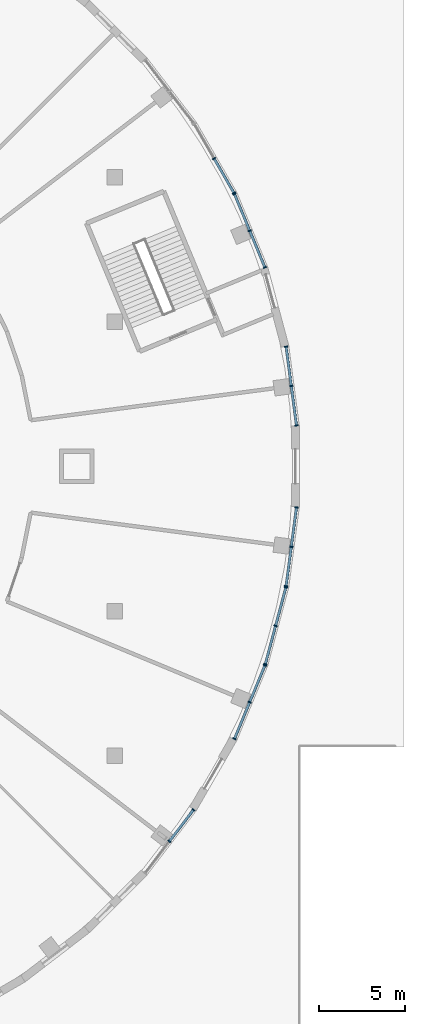
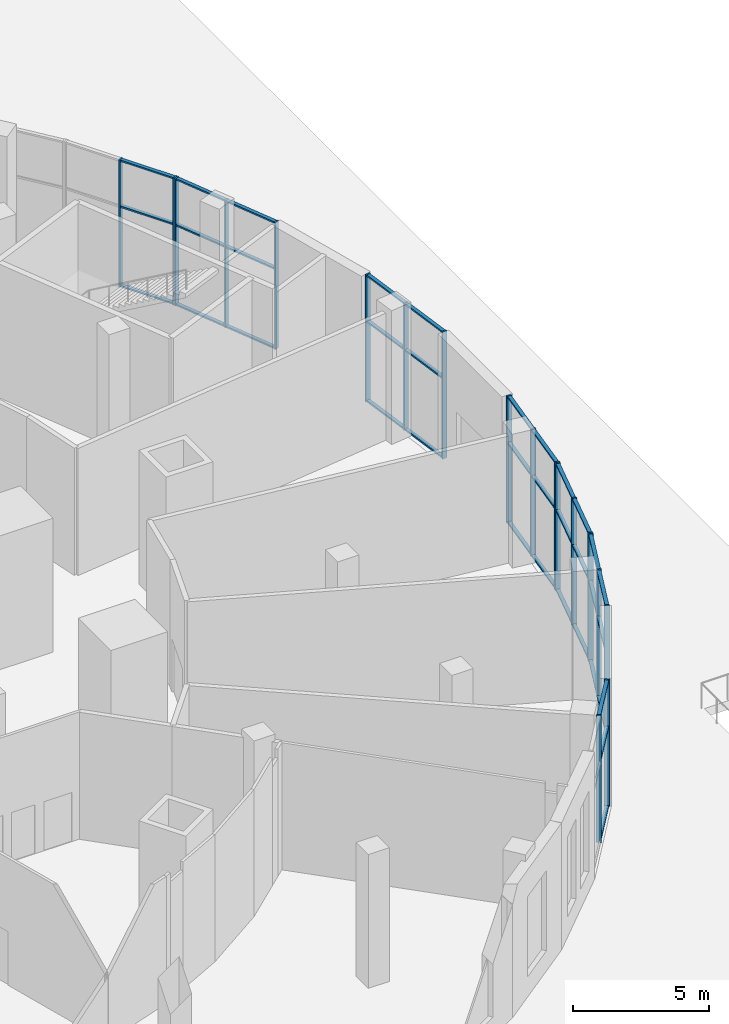
# One storey, part 4 of 19: 55 members, 7 elements without a shape of their own.
"""IFC4 building model written with IfcOpenShell, lengths in metres."""

from ifc_helpers import new_model, si_unit, direction, frame, origin, origin_2d, place, context, subcontext, project, spatial, rectangle, extrude, material, material_profile, profile_set, type_object, element, aggregate, save


model = new_model("IFC4")

# Units and contexts
model_context = context("Model", 3, precision=1e-05, world=origin(), true_north=direction((0.0, 1.0)))
body_context = subcontext(model_context, "Body", "Model", "MODEL_VIEW")
ifc_project = project(units=[si_unit("LENGTHUNIT", "METRE"), si_unit("AREAUNIT", "SQUARE_METRE"), si_unit("VOLUMEUNIT", "CUBIC_METRE"), si_unit("PLANEANGLEUNIT", "RADIAN"), si_unit("MASSUNIT", "GRAM", prefix="KILO")], contexts=[model_context])

# Site, building, storey
site_placement = place(None, origin())
site = spatial("IfcSite", under=ifc_project, at=site_placement, CompositionType="ELEMENT")
building_placement = place(site_placement, origin())
building = spatial("IfcBuilding", under=site, at=building_placement, Name="Golbaran Civic Tower", CompositionType="ELEMENT")
storey_placement = place(building_placement, origin())
storey = spatial("IfcBuildingStorey", under=building, at=storey_placement, Name="L00", CompositionType="ELEMENT", Elevation=0.0)

# Curtain wall, members
ifc_material_1 = material(Name="Aluminium and glass", Category="aluminium")
curtain_wall_type = type_object("IfcCurtainWallType", Name="PODIUM GLAZED SCREEN", PredefinedType="NOTDEFINED", material=ifc_material_1)
curtain_wall_1_placement = place(storey_placement, origin())
curtain_wall_1 = element("IfcCurtainWall", 1, at=curtain_wall_1_placement, inside=storey, type_object=curtain_wall_type, Name="Public service hall screen facet 1 CW5", ObjectType="PODIUM SCREEN", PredefinedType="USERDEFINED")
ifc_material_2 = material(Name="Aluminium", Category="aluminium")
ifc_material_profile_1 = material_profile(ifc_material_2, rectangle(XDim=0.199951171875, YDim=0.070068359375, at=origin_2d()), Name="PODIUM GLAZED SCREEN MULLION")
ifc_profile_set_1 = profile_set([ifc_material_profile_1], Name="Aluminium")
member_type_1 = type_object("IfcMemberType", Name="PODIUM GLAZED SCREEN MULLION", PredefinedType="MULLION", material=ifc_profile_set_1)
member_1_placement = place(storey_placement, frame((35.75537109375, 2.37841796875, 0.0), z_axis=(0.0, 0.0, 1.0), x_axis=(-0.99144486136, -0.130526192324, 0.0)))
member_1 = element("IfcMember", 2, at=member_1_placement, type_object=member_type_1, Name="CW5 mullion 1", PredefinedType="MULLION", context=body_context, shape_type="SweptSolid", body=[
    extrude(rectangle(XDim=0.199951171875, YDim=0.070068359375, at=origin_2d()), origin(), (0.0, 0.0, 1.0), 5.699951171875),
])
member_2_placement = place(storey_placement, frame((35.4541015625, 4.667724609375, 0.0), z_axis=(0.0, 0.0, 1.0), x_axis=(-0.99144486136, -0.130526192324, 0.0)))
member_2 = element("IfcMember", 3, at=member_2_placement, type_object=member_type_1, Name="CW5 mullion 2", PredefinedType="MULLION", context=body_context, shape_type="SweptSolid", body=[
    extrude(rectangle(XDim=0.199951171875, YDim=0.070068359375, at=origin_2d()), origin(), (0.0, 0.0, 1.0), 5.699951171875),
])
member_3_placement = place(storey_placement, frame((35.152587890625, 6.956787109375, 0.0), z_axis=(0.0, 0.0, 1.0), x_axis=(-0.99144486136, -0.130526192324, 0.0)))
member_3 = element("IfcMember", 4, at=member_3_placement, type_object=member_type_1, Name="CW5 mullion 3", PredefinedType="MULLION", context=body_context, shape_type="SweptSolid", body=[
    extrude(rectangle(XDim=0.199951171875, YDim=0.070068359375, at=origin_2d()), origin(), (0.0, 0.0, 1.0), 5.699951171875),
])

curtain_wall_2_placement = place(storey_placement, origin())
curtain_wall_2 = element("IfcCurtainWall", 5, at=curtain_wall_2_placement, inside=storey, type_object=curtain_wall_type, Name="Public service hall screen facet 3 CW5", ObjectType="PODIUM SCREEN", PredefinedType="USERDEFINED")
member_4_placement = place(storey_placement, frame((33.92138671875, 11.5517578125, 0.0), z_axis=(0.0, 0.0, 1.0), x_axis=(-0.923879532458, -0.382683432494, 0.0)))
member_4 = element("IfcMember", 6, at=member_4_placement, type_object=member_type_1, Name="CW5 mullion 1", PredefinedType="MULLION", context=body_context, shape_type="SweptSolid", body=[
    extrude(rectangle(XDim=0.199951171875, YDim=0.070068359375, at=origin_2d()), origin(), (0.0, 0.0, 1.0), 5.699951171875),
])
member_5_placement = place(storey_placement, frame((33.037841796875, 13.684814453125, 0.0), z_axis=(0.0, 0.0, 1.0), x_axis=(-0.923879532458, -0.382683432494, 0.0)))
member_5 = element("IfcMember", 7, at=member_5_placement, type_object=member_type_1, Name="CW5 mullion 2", PredefinedType="MULLION", context=body_context, shape_type="SweptSolid", body=[
    extrude(rectangle(XDim=0.199951171875, YDim=0.070068359375, at=origin_2d()), origin(), (0.0, 0.0, 1.0), 5.699951171875),
])
member_6_placement = place(storey_placement, frame((32.154296875, 15.81787109375, 0.0), z_axis=(0.0, 0.0, 1.0), x_axis=(-0.923879532458, -0.382683432494, 0.0)))
member_6 = element("IfcMember", 8, at=member_6_placement, type_object=member_type_1, Name="CW5 mullion 3", PredefinedType="MULLION", context=body_context, shape_type="SweptSolid", body=[
    extrude(rectangle(XDim=0.199951171875, YDim=0.070068359375, at=origin_2d()), origin(), (0.0, 0.0, 1.0), 5.699951171875),
])

curtain_wall_3_placement = place(storey_placement, origin())
curtain_wall_3 = element("IfcCurtainWall", 9, at=curtain_wall_3_placement, inside=storey, type_object=curtain_wall_type, Name="Public service hall screen facet 4 CW5", ObjectType="PODIUM SCREEN", PredefinedType="USERDEFINED")
member_7_placement = place(storey_placement, frame((32.12353515625, 15.88037109375, 0.0), z_axis=(0.0, 0.0, 1.0), x_axis=(-0.866025403846, -0.499999999894, 0.0)))
member_7 = element("IfcMember", 10, at=member_7_placement, type_object=member_type_1, Name="CW5 mullion 1", PredefinedType="MULLION", context=body_context, shape_type="SweptSolid", body=[
    extrude(rectangle(XDim=0.199951171875, YDim=0.070068359375, at=origin_2d()), origin(), (0.0, 0.0, 1.0), 5.699951171875),
])
member_8_placement = place(storey_placement, frame((30.968994140625, 17.8798828125, 0.0), z_axis=(0.0, 0.0, 1.0), x_axis=(-0.866025403846, -0.499999999894, 0.0)))
member_8 = element("IfcMember", 11, at=member_8_placement, type_object=member_type_1, Name="CW5 mullion 2", PredefinedType="MULLION", context=body_context, shape_type="SweptSolid", body=[
    extrude(rectangle(XDim=0.199951171875, YDim=0.070068359375, at=origin_2d()), origin(), (0.0, 0.0, 1.0), 5.699951171875),
])

curtain_wall_4_placement = place(storey_placement, origin())
curtain_wall_4 = element("IfcCurtainWall", 12, at=curtain_wall_4_placement, inside=storey, type_object=curtain_wall_type, Name="Public service hall screen facet 43 CW5", ObjectType="PODIUM SCREEN", PredefinedType="USERDEFINED")
member_9_placement = place(storey_placement, frame((28.370361328125, -21.769287109375, 0.0), z_axis=(0.0, 0.0, 1.0), x_axis=(-0.793353340238, 0.608761429078, 0.0)))
member_9 = element("IfcMember", 13, at=member_9_placement, type_object=member_type_1, Name="CW5 mullion 2", PredefinedType="MULLION", context=body_context, shape_type="SweptSolid", body=[
    extrude(rectangle(XDim=0.199951171875, YDim=0.070068359375, at=origin_2d()), origin(), (0.0, 0.0, 1.0), 5.699951171875),
])
member_10_placement = place(storey_placement, frame((29.77587890625, -19.9375, 0.0), z_axis=(0.0, 0.0, 1.0), x_axis=(-0.793353340238, 0.608761429078, 0.0)))
member_10 = element("IfcMember", 14, at=member_10_placement, type_object=member_type_1, Name="CW5 mullion 3", PredefinedType="MULLION", context=body_context, shape_type="SweptSolid", body=[
    extrude(rectangle(XDim=0.199951171875, YDim=0.070068359375, at=origin_2d()), origin(), (0.0, 0.0, 1.0), 5.699951171875),
])

curtain_wall_5_placement = place(storey_placement, origin())
curtain_wall_5 = element("IfcCurtainWall", 15, at=curtain_wall_5_placement, inside=storey, type_object=curtain_wall_type, Name="Public service hall screen facet 45 CW5", ObjectType="PODIUM SCREEN", PredefinedType="USERDEFINED")
member_11_placement = place(storey_placement, frame((32.154296875, -15.81787109375, 0.0), z_axis=(0.0, 0.0, 1.0), x_axis=(-0.923879532458, 0.382683432494, 0.0)))
member_11 = element("IfcMember", 16, at=member_11_placement, type_object=member_type_1, Name="CW5 mullion 1", PredefinedType="MULLION", context=body_context, shape_type="SweptSolid", body=[
    extrude(rectangle(XDim=0.199951171875, YDim=0.070068359375, at=origin_2d()), origin(), (0.0, 0.0, 1.0), 5.699951171875),
])
member_12_placement = place(storey_placement, frame((33.037841796875, -13.684814453125, 0.0), z_axis=(0.0, 0.0, 1.0), x_axis=(-0.923879532458, 0.382683432494, 0.0)))
member_12 = element("IfcMember", 17, at=member_12_placement, type_object=member_type_1, Name="CW5 mullion 2", PredefinedType="MULLION", context=body_context, shape_type="SweptSolid", body=[
    extrude(rectangle(XDim=0.199951171875, YDim=0.070068359375, at=origin_2d()), origin(), (0.0, 0.0, 1.0), 5.699951171875),
])
member_13_placement = place(storey_placement, frame((33.92138671875, -11.5517578125, 0.0), z_axis=(0.0, 0.0, 1.0), x_axis=(-0.923879532458, 0.382683432494, 0.0)))
member_13 = element("IfcMember", 18, at=member_13_placement, type_object=member_type_1, Name="CW5 mullion 3", PredefinedType="MULLION", context=body_context, shape_type="SweptSolid", body=[
    extrude(rectangle(XDim=0.199951171875, YDim=0.070068359375, at=origin_2d()), origin(), (0.0, 0.0, 1.0), 5.699951171875),
])

curtain_wall_6_placement = place(storey_placement, origin())
curtain_wall_6 = element("IfcCurtainWall", 19, at=curtain_wall_6_placement, inside=storey, type_object=curtain_wall_type, Name="Public service hall screen facet 46 CW5", ObjectType="PODIUM SCREEN", PredefinedType="USERDEFINED")
member_14_placement = place(storey_placement, frame((33.94384765625, -11.485595703125, 0.0), z_axis=(0.0, 0.0, 1.0), x_axis=(-0.965925826325, 0.258819044968, 0.0)))
member_14 = element("IfcMember", 20, at=member_14_placement, type_object=member_type_1, Name="CW5 mullion 1", PredefinedType="MULLION", context=body_context, shape_type="SweptSolid", body=[
    extrude(rectangle(XDim=0.199951171875, YDim=0.070068359375, at=origin_2d()), origin(), (0.0, 0.0, 1.0), 5.699951171875),
])
member_15_placement = place(storey_placement, frame((34.54150390625, -9.25537109375, 0.0), z_axis=(0.0, 0.0, 1.0), x_axis=(-0.965925826325, 0.258819044968, 0.0)))
member_15 = element("IfcMember", 21, at=member_15_placement, type_object=member_type_1, Name="CW5 mullion 2", PredefinedType="MULLION", context=body_context, shape_type="SweptSolid", body=[
    extrude(rectangle(XDim=0.199951171875, YDim=0.070068359375, at=origin_2d()), origin(), (0.0, 0.0, 1.0), 5.699951171875),
])
member_16_placement = place(storey_placement, frame((35.13916015625, -7.025146484375, 0.0), z_axis=(0.0, 0.0, 1.0), x_axis=(-0.965925826325, 0.258819044968, 0.0)))
member_16 = element("IfcMember", 22, at=member_16_placement, type_object=member_type_1, Name="CW5 mullion 3", PredefinedType="MULLION", context=body_context, shape_type="SweptSolid", body=[
    extrude(rectangle(XDim=0.199951171875, YDim=0.070068359375, at=origin_2d()), origin(), (0.0, 0.0, 1.0), 5.699951171875),
])

curtain_wall_7_placement = place(storey_placement, origin())
curtain_wall_7 = element("IfcCurtainWall", 23, at=curtain_wall_7_placement, inside=storey, type_object=curtain_wall_type, Name="Public service hall screen facet 47 CW5", ObjectType="PODIUM SCREEN", PredefinedType="USERDEFINED")
member_17_placement = place(storey_placement, frame((35.152587890625, -6.956787109375, 0.0), z_axis=(0.0, 0.0, 1.0), x_axis=(-0.99144486136, 0.130526192324, 0.0)))
member_17 = element("IfcMember", 24, at=member_17_placement, type_object=member_type_1, Name="CW5 mullion 1", PredefinedType="MULLION", context=body_context, shape_type="SweptSolid", body=[
    extrude(rectangle(XDim=0.199951171875, YDim=0.070068359375, at=origin_2d()), origin(), (0.0, 0.0, 1.0), 5.699951171875),
])
member_18_placement = place(storey_placement, frame((35.4541015625, -4.667724609375, 0.0), z_axis=(0.0, 0.0, 1.0), x_axis=(-0.99144486136, 0.130526192324, 0.0)))
member_18 = element("IfcMember", 25, at=member_18_placement, type_object=member_type_1, Name="CW5 mullion 2", PredefinedType="MULLION", context=body_context, shape_type="SweptSolid", body=[
    extrude(rectangle(XDim=0.199951171875, YDim=0.070068359375, at=origin_2d()), origin(), (0.0, 0.0, 1.0), 5.699951171875),
])
member_19_placement = place(storey_placement, frame((35.75537109375, -2.37841796875, 0.0), z_axis=(0.0, 0.0, 1.0), x_axis=(-0.99144486136, 0.130526192324, 0.0)))
member_19 = element("IfcMember", 26, at=member_19_placement, type_object=member_type_1, Name="CW5 mullion 3", PredefinedType="MULLION", context=body_context, shape_type="SweptSolid", body=[
    extrude(rectangle(XDim=0.199951171875, YDim=0.070068359375, at=origin_2d()), origin(), (0.0, 0.0, 1.0), 5.699951171875),
])

# Member
ifc_material_profile_2 = material_profile(ifc_material_2, rectangle(XDim=0.14990234375, YDim=0.070068359375, at=origin_2d()), Name="PODIUM GLAZED SCREEN TRANSOM")
ifc_profile_set_2 = profile_set([ifc_material_profile_2], Name="Aluminium")
member_type_2 = type_object("IfcMemberType", Name="PODIUM GLAZED SCREEN TRANSOM", PredefinedType="USERDEFINED", material=ifc_profile_set_2)
member_20_placement = place(storey_placement, frame((35.7509765625, 2.413330078125, 0.034912109375), z_axis=(-0.130541966027, 0.991442784585, 0.0), x_axis=(-0.991442784585, -0.130541966027, 0.0)))
member_20 = element("IfcMember", 27, at=member_20_placement, type_object=member_type_2, Name="CW5 transom 1.1", ObjectType="TRANSOM", PredefinedType="USERDEFINED", context=body_context, shape_type="SweptSolid", body=[
    extrude(rectangle(XDim=0.14990234375, YDim=0.070068359375, at=origin_2d()), origin(), (0.0, 0.0, 1.0), 2.238525390625),
])

member_21_placement = place(storey_placement, frame((35.7509765625, 2.413330078125, 3.60009765625), z_axis=(-0.130541966027, 0.991442784585, 0.0), x_axis=(-0.991442784585, -0.130541966027, 0.0)))
member_21 = element("IfcMember", 28, at=member_21_placement, type_object=member_type_2, Name="CW5 transom 1.2", ObjectType="TRANSOM", PredefinedType="USERDEFINED", context=body_context, shape_type="SweptSolid", body=[
    extrude(rectangle(XDim=0.14990234375, YDim=0.070068359375, at=origin_2d()), origin(), (0.0, 0.0, 1.0), 2.238525390625),
])

member_22_placement = place(storey_placement, frame((35.7509765625, 2.413330078125, 5.6650390625), z_axis=(-0.130541966027, 0.991442784585, 0.0), x_axis=(-0.991442784585, -0.130541966027, 0.0)))
member_22 = element("IfcMember", 29, at=member_22_placement, type_object=member_type_2, Name="CW5 transom 1.3", ObjectType="TRANSOM", PredefinedType="USERDEFINED", context=body_context, shape_type="SweptSolid", body=[
    extrude(rectangle(XDim=0.14990234375, YDim=0.070068359375, at=origin_2d()), origin(), (0.0, 0.0, 1.0), 2.238525390625),
])

member_23_placement = place(storey_placement, frame((35.449462890625, 4.702392578125, 0.034912109375), z_axis=(-0.130527852769, 0.991444642757, 0.0), x_axis=(-0.991444642757, -0.130527852769, 0.0)))
member_23 = element("IfcMember", 30, at=member_23_placement, type_object=member_type_2, Name="CW5 transom 2.1", ObjectType="TRANSOM", PredefinedType="USERDEFINED", context=body_context, shape_type="SweptSolid", body=[
    extrude(rectangle(XDim=0.14990234375, YDim=0.070068359375, at=origin_2d()), origin(), (0.0, 0.0, 1.0), 2.23876953125),
])

member_24_placement = place(storey_placement, frame((35.449462890625, 4.702392578125, 3.60009765625), z_axis=(-0.130527852769, 0.991444642757, 0.0), x_axis=(-0.991444642757, -0.130527852769, 0.0)))
member_24 = element("IfcMember", 31, at=member_24_placement, type_object=member_type_2, Name="CW5 transom 2.2", ObjectType="TRANSOM", PredefinedType="USERDEFINED", context=body_context, shape_type="SweptSolid", body=[
    extrude(rectangle(XDim=0.14990234375, YDim=0.070068359375, at=origin_2d()), origin(), (0.0, 0.0, 1.0), 2.23876953125),
])

member_25_placement = place(storey_placement, frame((35.449462890625, 4.702392578125, 5.6650390625), z_axis=(-0.130527852769, 0.991444642757, 0.0), x_axis=(-0.991444642757, -0.130527852769, 0.0)))
member_25 = element("IfcMember", 32, at=member_25_placement, type_object=member_type_2, Name="CW5 transom 2.3", ObjectType="TRANSOM", PredefinedType="USERDEFINED", context=body_context, shape_type="SweptSolid", body=[
    extrude(rectangle(XDim=0.14990234375, YDim=0.070068359375, at=origin_2d()), origin(), (0.0, 0.0, 1.0), 2.23876953125),
])

aggregate(curtain_wall_1, [member_1, member_2, member_3, member_20, member_21, member_22, member_23, member_24, member_25])

member_26_placement = place(storey_placement, frame((33.908203125, 11.583984375, 0.034912109375), z_axis=(-0.382756283095, 0.923849353386, 0.0), x_axis=(-0.923849353386, -0.382756283095, 0.0)))
member_26 = element("IfcMember", 33, at=member_26_placement, type_object=member_type_2, Name="CW5 transom 1.1", ObjectType="TRANSOM", PredefinedType="USERDEFINED", context=body_context, shape_type="SweptSolid", body=[
    extrude(rectangle(XDim=0.14990234375, YDim=0.070068359375, at=origin_2d()), origin(), (0.0, 0.0, 1.0), 2.23876953125),
])

member_27_placement = place(storey_placement, frame((33.908203125, 11.583984375, 3.60009765625), z_axis=(-0.382756283095, 0.923849353386, 0.0), x_axis=(-0.923849353386, -0.382756283095, 0.0)))
member_27 = element("IfcMember", 34, at=member_27_placement, type_object=member_type_2, Name="CW5 transom 1.2", ObjectType="TRANSOM", PredefinedType="USERDEFINED", context=body_context, shape_type="SweptSolid", body=[
    extrude(rectangle(XDim=0.14990234375, YDim=0.070068359375, at=origin_2d()), origin(), (0.0, 0.0, 1.0), 2.23876953125),
])

member_28_placement = place(storey_placement, frame((33.908203125, 11.583984375, 5.6650390625), z_axis=(-0.382756283095, 0.923849353386, 0.0), x_axis=(-0.923849353386, -0.382756283095, 0.0)))
member_28 = element("IfcMember", 35, at=member_28_placement, type_object=member_type_2, Name="CW5 transom 1.3", ObjectType="TRANSOM", PredefinedType="USERDEFINED", context=body_context, shape_type="SweptSolid", body=[
    extrude(rectangle(XDim=0.14990234375, YDim=0.070068359375, at=origin_2d()), origin(), (0.0, 0.0, 1.0), 2.23876953125),
])

member_29_placement = place(storey_placement, frame((33.024658203125, 13.717041015625, 0.034912109375), z_axis=(-0.382756283095, 0.923849353386, 0.0), x_axis=(-0.923849353386, -0.382756283095, 0.0)))
member_29 = element("IfcMember", 36, at=member_29_placement, type_object=member_type_2, Name="CW5 transom 2.1", ObjectType="TRANSOM", PredefinedType="USERDEFINED", context=body_context, shape_type="SweptSolid", body=[
    extrude(rectangle(XDim=0.14990234375, YDim=0.070068359375, at=origin_2d()), origin(), (0.0, 0.0, 1.0), 2.23876953125),
])

member_30_placement = place(storey_placement, frame((33.024658203125, 13.717041015625, 3.60009765625), z_axis=(-0.382756283095, 0.923849353386, 0.0), x_axis=(-0.923849353386, -0.382756283095, 0.0)))
member_30 = element("IfcMember", 37, at=member_30_placement, type_object=member_type_2, Name="CW5 transom 2.2", ObjectType="TRANSOM", PredefinedType="USERDEFINED", context=body_context, shape_type="SweptSolid", body=[
    extrude(rectangle(XDim=0.14990234375, YDim=0.070068359375, at=origin_2d()), origin(), (0.0, 0.0, 1.0), 2.23876953125),
])

member_31_placement = place(storey_placement, frame((33.024658203125, 13.717041015625, 5.6650390625), z_axis=(-0.382756283095, 0.923849353386, 0.0), x_axis=(-0.923849353386, -0.382756283095, 0.0)))
member_31 = element("IfcMember", 38, at=member_31_placement, type_object=member_type_2, Name="CW5 transom 2.3", ObjectType="TRANSOM", PredefinedType="USERDEFINED", context=body_context, shape_type="SweptSolid", body=[
    extrude(rectangle(XDim=0.14990234375, YDim=0.070068359375, at=origin_2d()), origin(), (0.0, 0.0, 1.0), 2.23876953125),
])

aggregate(curtain_wall_2, [member_4, member_5, member_6, member_26, member_27, member_28, member_29, member_30, member_31])

member_32_placement = place(storey_placement, frame((32.10595703125, 15.910888671875, 0.034912109375), z_axis=(-0.500021389451, 0.866013054227, 0.0), x_axis=(-0.866013054227, -0.500021389451, 0.0)))
member_32 = element("IfcMember", 39, at=member_32_placement, type_object=member_type_2, Name="CW5 transom 1.1", ObjectType="TRANSOM", PredefinedType="USERDEFINED", context=body_context, shape_type="SweptSolid", body=[
    extrude(rectangle(XDim=0.14990234375, YDim=0.070068359375, at=origin_2d()), origin(), (0.0, 0.0, 1.0), 2.23876953125),
])

member_33_placement = place(storey_placement, frame((32.10595703125, 15.910888671875, 3.60009765625), z_axis=(-0.500021389451, 0.866013054227, 0.0), x_axis=(-0.866013054227, -0.500021389451, 0.0)))
member_33 = element("IfcMember", 40, at=member_33_placement, type_object=member_type_2, Name="CW5 transom 1.2", ObjectType="TRANSOM", PredefinedType="USERDEFINED", context=body_context, shape_type="SweptSolid", body=[
    extrude(rectangle(XDim=0.14990234375, YDim=0.070068359375, at=origin_2d()), origin(), (0.0, 0.0, 1.0), 2.23876953125),
])

member_34_placement = place(storey_placement, frame((32.10595703125, 15.910888671875, 5.6650390625), z_axis=(-0.500021389451, 0.866013054227, 0.0), x_axis=(-0.866013054227, -0.500021389451, 0.0)))
member_34 = element("IfcMember", 41, at=member_34_placement, type_object=member_type_2, Name="CW5 transom 1.3", ObjectType="TRANSOM", PredefinedType="USERDEFINED", context=body_context, shape_type="SweptSolid", body=[
    extrude(rectangle(XDim=0.14990234375, YDim=0.070068359375, at=origin_2d()), origin(), (0.0, 0.0, 1.0), 2.23876953125),
])

aggregate(curtain_wall_3, [member_7, member_8, member_32, member_33, member_34])

member_35_placement = place(storey_placement, frame((28.3916015625, -21.741455078125, 0.034912109375), z_axis=(0.608809209153, 0.793316675011, 0.0), x_axis=(-0.793316675011, 0.608809209153, 0.0)))
member_35 = element("IfcMember", 42, at=member_35_placement, type_object=member_type_2, Name="CW5 transom 2.1", ObjectType="TRANSOM", PredefinedType="USERDEFINED", context=body_context, shape_type="SweptSolid", body=[
    extrude(rectangle(XDim=0.14990234375, YDim=0.070068359375, at=origin_2d()), origin(), (0.0, 0.0, 1.0), 2.23876953125),
])

member_36_placement = place(storey_placement, frame((28.3916015625, -21.741455078125, 3.60009765625), z_axis=(0.608809209153, 0.793316675011, 0.0), x_axis=(-0.793316675011, 0.608809209153, 0.0)))
member_36 = element("IfcMember", 43, at=member_36_placement, type_object=member_type_2, Name="CW5 transom 2.2", ObjectType="TRANSOM", PredefinedType="USERDEFINED", context=body_context, shape_type="SweptSolid", body=[
    extrude(rectangle(XDim=0.14990234375, YDim=0.070068359375, at=origin_2d()), origin(), (0.0, 0.0, 1.0), 2.23876953125),
])

member_37_placement = place(storey_placement, frame((28.3916015625, -21.741455078125, 5.6650390625), z_axis=(0.608809209153, 0.793316675011, 0.0), x_axis=(-0.793316675011, 0.608809209153, 0.0)))
member_37 = element("IfcMember", 44, at=member_37_placement, type_object=member_type_2, Name="CW5 transom 2.3", ObjectType="TRANSOM", PredefinedType="USERDEFINED", context=body_context, shape_type="SweptSolid", body=[
    extrude(rectangle(XDim=0.14990234375, YDim=0.070068359375, at=origin_2d()), origin(), (0.0, 0.0, 1.0), 2.23876953125),
])

aggregate(curtain_wall_4, [member_9, member_10, member_35, member_36, member_37])

member_38_placement = place(storey_placement, frame((32.167724609375, -15.785400390625, 0.034912109375), z_axis=(0.382756283095, 0.923849353386, 0.0), x_axis=(-0.923849353386, 0.382756283095, 0.0)))
member_38 = element("IfcMember", 45, at=member_38_placement, type_object=member_type_2, Name="CW5 transom 1.1", ObjectType="TRANSOM", PredefinedType="USERDEFINED", context=body_context, shape_type="SweptSolid", body=[
    extrude(rectangle(XDim=0.14990234375, YDim=0.070068359375, at=origin_2d()), origin(), (0.0, 0.0, 1.0), 2.23876953125),
])

member_39_placement = place(storey_placement, frame((32.167724609375, -15.785400390625, 3.60009765625), z_axis=(0.382756283095, 0.923849353386, 0.0), x_axis=(-0.923849353386, 0.382756283095, 0.0)))
member_39 = element("IfcMember", 46, at=member_39_placement, type_object=member_type_2, Name="CW5 transom 1.2", ObjectType="TRANSOM", PredefinedType="USERDEFINED", context=body_context, shape_type="SweptSolid", body=[
    extrude(rectangle(XDim=0.14990234375, YDim=0.070068359375, at=origin_2d()), origin(), (0.0, 0.0, 1.0), 2.23876953125),
])

member_40_placement = place(storey_placement, frame((32.167724609375, -15.785400390625, 5.6650390625), z_axis=(0.382756283095, 0.923849353386, 0.0), x_axis=(-0.923849353386, 0.382756283095, 0.0)))
member_40 = element("IfcMember", 47, at=member_40_placement, type_object=member_type_2, Name="CW5 transom 1.3", ObjectType="TRANSOM", PredefinedType="USERDEFINED", context=body_context, shape_type="SweptSolid", body=[
    extrude(rectangle(XDim=0.14990234375, YDim=0.070068359375, at=origin_2d()), origin(), (0.0, 0.0, 1.0), 2.23876953125),
])

member_41_placement = place(storey_placement, frame((33.05126953125, -13.65234375, 0.034912109375), z_axis=(0.382756283095, 0.923849353386, 0.0), x_axis=(-0.923849353386, 0.382756283095, 0.0)))
member_41 = element("IfcMember", 48, at=member_41_placement, type_object=member_type_2, Name="CW5 transom 2.1", ObjectType="TRANSOM", PredefinedType="USERDEFINED", context=body_context, shape_type="SweptSolid", body=[
    extrude(rectangle(XDim=0.14990234375, YDim=0.070068359375, at=origin_2d()), origin(), (0.0, 0.0, 1.0), 2.23876953125),
])

member_42_placement = place(storey_placement, frame((33.05126953125, -13.65234375, 3.60009765625), z_axis=(0.382756283095, 0.923849353386, 0.0), x_axis=(-0.923849353386, 0.382756283095, 0.0)))
member_42 = element("IfcMember", 49, at=member_42_placement, type_object=member_type_2, Name="CW5 transom 2.2", ObjectType="TRANSOM", PredefinedType="USERDEFINED", context=body_context, shape_type="SweptSolid", body=[
    extrude(rectangle(XDim=0.14990234375, YDim=0.070068359375, at=origin_2d()), origin(), (0.0, 0.0, 1.0), 2.23876953125),
])

member_43_placement = place(storey_placement, frame((33.05126953125, -13.65234375, 5.6650390625), z_axis=(0.382756283095, 0.923849353386, 0.0), x_axis=(-0.923849353386, 0.382756283095, 0.0)))
member_43 = element("IfcMember", 50, at=member_43_placement, type_object=member_type_2, Name="CW5 transom 2.3", ObjectType="TRANSOM", PredefinedType="USERDEFINED", context=body_context, shape_type="SweptSolid", body=[
    extrude(rectangle(XDim=0.14990234375, YDim=0.070068359375, at=origin_2d()), origin(), (0.0, 0.0, 1.0), 2.23876953125),
])

aggregate(curtain_wall_5, [member_11, member_12, member_13, member_38, member_39, member_40, member_41, member_42, member_43])

member_44_placement = place(storey_placement, frame((33.952880859375, -11.45166015625, 0.034912109375), z_axis=(0.258870530342, 0.96591202939, 0.0), x_axis=(-0.96591202939, 0.258870530342, 0.0)))
member_44 = element("IfcMember", 51, at=member_44_placement, type_object=member_type_2, Name="CW5 transom 1.1", ObjectType="TRANSOM", PredefinedType="USERDEFINED", context=body_context, shape_type="SweptSolid", body=[
    extrude(rectangle(XDim=0.14990234375, YDim=0.070068359375, at=origin_2d()), origin(), (0.0, 0.0, 1.0), 2.239013671875),
])

member_45_placement = place(storey_placement, frame((33.952880859375, -11.45166015625, 3.60009765625), z_axis=(0.258870530342, 0.96591202939, 0.0), x_axis=(-0.96591202939, 0.258870530342, 0.0)))
member_45 = element("IfcMember", 52, at=member_45_placement, type_object=member_type_2, Name="CW5 transom 1.2", ObjectType="TRANSOM", PredefinedType="USERDEFINED", context=body_context, shape_type="SweptSolid", body=[
    extrude(rectangle(XDim=0.14990234375, YDim=0.070068359375, at=origin_2d()), origin(), (0.0, 0.0, 1.0), 2.239013671875),
])

member_46_placement = place(storey_placement, frame((33.952880859375, -11.45166015625, 5.6650390625), z_axis=(0.258870530342, 0.96591202939, 0.0), x_axis=(-0.96591202939, 0.258870530342, 0.0)))
member_46 = element("IfcMember", 53, at=member_46_placement, type_object=member_type_2, Name="CW5 transom 1.3", ObjectType="TRANSOM", PredefinedType="USERDEFINED", context=body_context, shape_type="SweptSolid", body=[
    extrude(rectangle(XDim=0.14990234375, YDim=0.070068359375, at=origin_2d()), origin(), (0.0, 0.0, 1.0), 2.239013671875),
])

member_47_placement = place(storey_placement, frame((34.550537109375, -9.2216796875, 0.034912109375), z_axis=(0.258870530342, 0.96591202939, 0.0), x_axis=(-0.96591202939, 0.258870530342, 0.0)))
member_47 = element("IfcMember", 54, at=member_47_placement, type_object=member_type_2, Name="CW5 transom 2.1", ObjectType="TRANSOM", PredefinedType="USERDEFINED", context=body_context, shape_type="SweptSolid", body=[
    extrude(rectangle(XDim=0.14990234375, YDim=0.070068359375, at=origin_2d()), origin(), (0.0, 0.0, 1.0), 2.239013671875),
])

member_48_placement = place(storey_placement, frame((34.550537109375, -9.2216796875, 3.60009765625), z_axis=(0.258870530342, 0.96591202939, 0.0), x_axis=(-0.96591202939, 0.258870530342, 0.0)))
member_48 = element("IfcMember", 55, at=member_48_placement, type_object=member_type_2, Name="CW5 transom 2.2", ObjectType="TRANSOM", PredefinedType="USERDEFINED", context=body_context, shape_type="SweptSolid", body=[
    extrude(rectangle(XDim=0.14990234375, YDim=0.070068359375, at=origin_2d()), origin(), (0.0, 0.0, 1.0), 2.239013671875),
])

member_49_placement = place(storey_placement, frame((34.550537109375, -9.2216796875, 5.6650390625), z_axis=(0.258870530342, 0.96591202939, 0.0), x_axis=(-0.96591202939, 0.258870530342, 0.0)))
member_49 = element("IfcMember", 56, at=member_49_placement, type_object=member_type_2, Name="CW5 transom 2.3", ObjectType="TRANSOM", PredefinedType="USERDEFINED", context=body_context, shape_type="SweptSolid", body=[
    extrude(rectangle(XDim=0.14990234375, YDim=0.070068359375, at=origin_2d()), origin(), (0.0, 0.0, 1.0), 2.239013671875),
])

aggregate(curtain_wall_6, [member_14, member_15, member_16, member_44, member_45, member_46, member_47, member_48, member_49])

member_50_placement = place(storey_placement, frame((35.1572265625, -6.922119140625, 0.034912109375), z_axis=(0.130527852769, 0.991444642757, 0.0), x_axis=(-0.991444642757, 0.130527852769, 0.0)))
member_50 = element("IfcMember", 57, at=member_50_placement, type_object=member_type_2, Name="CW5 transom 1.1", ObjectType="TRANSOM", PredefinedType="USERDEFINED", context=body_context, shape_type="SweptSolid", body=[
    extrude(rectangle(XDim=0.14990234375, YDim=0.070068359375, at=origin_2d()), origin(), (0.0, 0.0, 1.0), 2.23876953125),
])

member_51_placement = place(storey_placement, frame((35.1572265625, -6.922119140625, 3.60009765625), z_axis=(0.130527852769, 0.991444642757, 0.0), x_axis=(-0.991444642757, 0.130527852769, 0.0)))
member_51 = element("IfcMember", 58, at=member_51_placement, type_object=member_type_2, Name="CW5 transom 1.2", ObjectType="TRANSOM", PredefinedType="USERDEFINED", context=body_context, shape_type="SweptSolid", body=[
    extrude(rectangle(XDim=0.14990234375, YDim=0.070068359375, at=origin_2d()), origin(), (0.0, 0.0, 1.0), 2.23876953125),
])

member_52_placement = place(storey_placement, frame((35.1572265625, -6.922119140625, 5.6650390625), z_axis=(0.130527852769, 0.991444642757, 0.0), x_axis=(-0.991444642757, 0.130527852769, 0.0)))
member_52 = element("IfcMember", 59, at=member_52_placement, type_object=member_type_2, Name="CW5 transom 1.3", ObjectType="TRANSOM", PredefinedType="USERDEFINED", context=body_context, shape_type="SweptSolid", body=[
    extrude(rectangle(XDim=0.14990234375, YDim=0.070068359375, at=origin_2d()), origin(), (0.0, 0.0, 1.0), 2.23876953125),
])

member_53_placement = place(storey_placement, frame((35.458740234375, -4.6328125, 0.034912109375), z_axis=(0.130541966027, 0.991442784585, 0.0), x_axis=(-0.991442784585, 0.130541966027, 0.0)))
member_53 = element("IfcMember", 60, at=member_53_placement, type_object=member_type_2, Name="CW5 transom 2.1", ObjectType="TRANSOM", PredefinedType="USERDEFINED", context=body_context, shape_type="SweptSolid", body=[
    extrude(rectangle(XDim=0.14990234375, YDim=0.070068359375, at=origin_2d()), origin(), (0.0, 0.0, 1.0), 2.238525390625),
])

member_54_placement = place(storey_placement, frame((35.458740234375, -4.6328125, 3.60009765625), z_axis=(0.130541966027, 0.991442784585, 0.0), x_axis=(-0.991442784585, 0.130541966027, 0.0)))
member_54 = element("IfcMember", 61, at=member_54_placement, type_object=member_type_2, Name="CW5 transom 2.2", ObjectType="TRANSOM", PredefinedType="USERDEFINED", context=body_context, shape_type="SweptSolid", body=[
    extrude(rectangle(XDim=0.14990234375, YDim=0.070068359375, at=origin_2d()), origin(), (0.0, 0.0, 1.0), 2.238525390625),
])

member_55_placement = place(storey_placement, frame((35.458740234375, -4.6328125, 5.6650390625), z_axis=(0.130541966027, 0.991442784585, 0.0), x_axis=(-0.991442784585, 0.130541966027, 0.0)))
member_55 = element("IfcMember", 62, at=member_55_placement, type_object=member_type_2, Name="CW5 transom 2.3", ObjectType="TRANSOM", PredefinedType="USERDEFINED", context=body_context, shape_type="SweptSolid", body=[
    extrude(rectangle(XDim=0.14990234375, YDim=0.070068359375, at=origin_2d()), origin(), (0.0, 0.0, 1.0), 2.238525390625),
])

aggregate(curtain_wall_7, [member_17, member_18, member_19, member_50, member_51, member_52, member_53, member_54, member_55])

save(model, "model.ifc")
